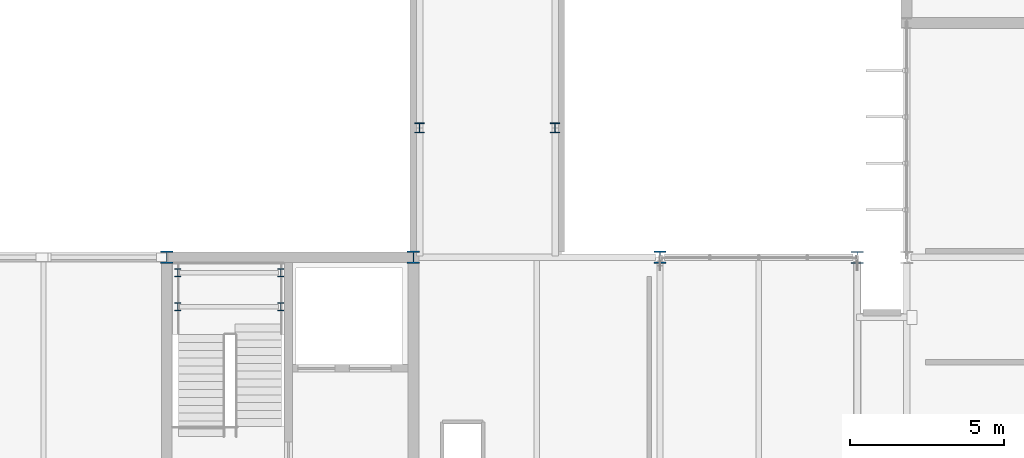
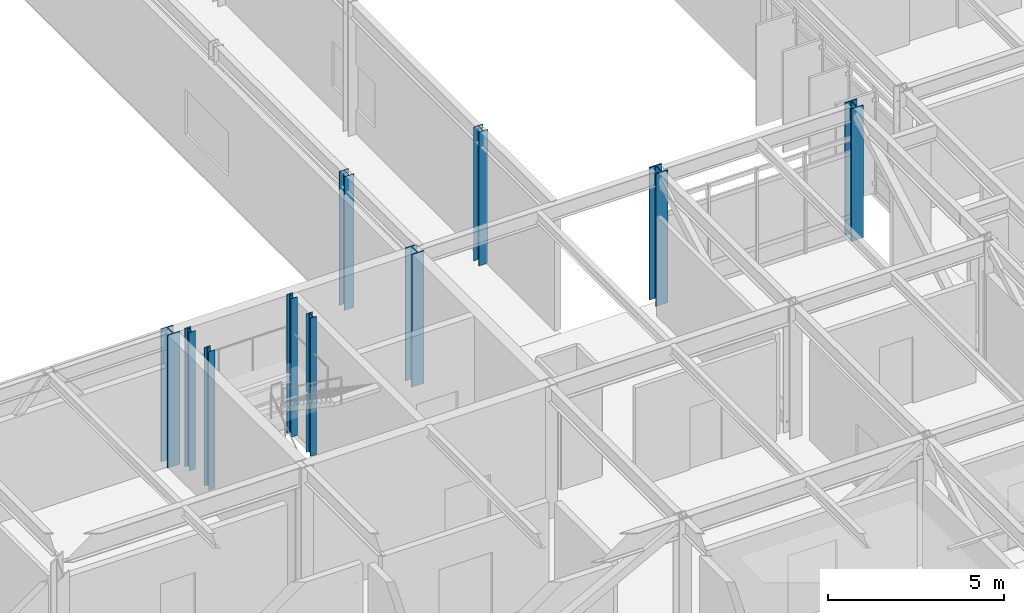
# One storey, part 4 of 104: 10 columns.
"""IFC4 building model written with IfcOpenShell, lengths in metres."""

import ifcopenshell
import ifcopenshell.guid

model = None  # the IFC model being written
_history = None  # IfcOwnerHistory: only IFC2X3 demands one
_inside = {}  # id of a spatial element -> (the spatial element, [elements in it])
_under = {}  # id of a project, library or spatial element -> (it, [spatial elements below it])
_declared = {}  # id of a project -> (the project, [libraries it declares])
_typed = {}  # id of a type object -> (the type object, [elements of that type])
_made_of = {}  # id of a material, layer set ... -> (it, [elements and type objects made of it])


def new_model(schema):
    """Start an empty IFC model of exactly this schema.

    Asked for "IFC4X3", IfcOpenShell would pick the latest addendum, in which some entities
    have other attributes; the version numbers below select the first issue.
    IFC2X3 requires an IfcOwnerHistory on every rooted entity: one is made here for all.
    """
    global model, _history
    if schema == "IFC4X3":
        model = ifcopenshell.file(schema_version=(4, 3, 0, 0))
    else:
        model = ifcopenshell.file(schema=schema)
    _inside.clear()
    _under.clear()
    _declared.clear()
    _typed.clear()
    _made_of.clear()
    _history = None
    if model.schema == "IFC2X3":
        org = make("IfcOrganization", Name="unknown")
        user = make(
            "IfcPersonAndOrganization",
            ThePerson=make("IfcPerson", FamilyName="unknown"),
            TheOrganization=org,
        )
        app = make(
            "IfcApplication",
            ApplicationDeveloper=org,
            Version="unknown",
            ApplicationFullName="unknown",
            ApplicationIdentifier="unknown",
        )
        _history = make(
            "IfcOwnerHistory",
            OwningUser=user,
            OwningApplication=app,
            ChangeAction="ADDED",
            CreationDate=0,
        )
    return model


def make(cls, **values):
    """One entity of the class cls with the attributes given. An attribute that is None is left unset."""
    return model.create_entity(
        cls, **{name: value for name, value in values.items() if value is not None}
    )


def rooted(cls, **values):
    """An entity with a GlobalId (a new one), such as an element, a storey or a relation."""
    return make(cls, GlobalId=ifcopenshell.guid.new(), OwnerHistory=_history, **values)


def si_unit(unit_type, name, prefix=None):
    """IfcSIUnit, for example si_unit("LENGTHUNIT", "METRE", prefix="MILLI")."""
    return make("IfcSIUnit", UnitType=unit_type, Prefix=prefix, Name=name)


def assignment(units):
    """IfcUnitAssignment: the units of a project."""
    return None if units is None else make("IfcUnitAssignment", Units=units)


def point(xyz):
    """IfcCartesianPoint."""
    return None if xyz is None else make("IfcCartesianPoint", Coordinates=xyz)


def direction(xyz):
    """IfcDirection."""
    return None if xyz is None else make("IfcDirection", DirectionRatios=xyz)


def frame(location, z_axis=None, x_axis=None):
    """IfcAxis2Placement3D, a coordinate frame: its origin and axes. An axis left out is left unset."""
    return make(
        "IfcAxis2Placement3D",
        Location=point(location),
        Axis=direction(z_axis),
        RefDirection=direction(x_axis),
    )


def frame_2d(location, x_axis=None):
    """IfcAxis2Placement2D, a coordinate frame in the plane: its origin and x axis."""
    return make(
        "IfcAxis2Placement2D", Location=point(location), RefDirection=direction(x_axis)
    )


def origin():
    """The frame at (0, 0, 0) with its axes left unset."""
    return frame((0.0, 0.0, 0.0))


def origin_2d():
    """The frame at (0, 0) in the plane with its x axis left unset."""
    return frame_2d((0.0, 0.0))


def place(relative_to, where):
    """IfcLocalPlacement: puts the frame where relative to a parent placement (None: the world)."""
    return make(
        "IfcLocalPlacement", PlacementRelTo=relative_to, RelativePlacement=where
    )


def context(
    kind, dimensions, precision=None, world=None, true_north=None, identifier=None
):
    """IfcGeometricRepresentationContext, for example the 3D "Model" context."""
    return make(
        "IfcGeometricRepresentationContext",
        ContextIdentifier=identifier,
        ContextType=kind,
        CoordinateSpaceDimension=dimensions,
        Precision=precision,
        WorldCoordinateSystem=world,
        TrueNorth=true_north,
    )


def subcontext(parent, identifier, kind, view, scale=None):
    """IfcGeometricRepresentationSubContext, for example "Body" below "Model"."""
    return make(
        "IfcGeometricRepresentationSubContext",
        ContextIdentifier=identifier,
        ContextType=kind,
        ParentContext=parent,
        TargetScale=scale,
        TargetView=view,
    )


def project(units=None, contexts=None):
    """IfcProject with its units and contexts."""
    return rooted(
        "IfcProject",
        Name="project",
        RepresentationContexts=contexts,
        UnitsInContext=assignment(units),
    )


def spatial(cls, under=None, at=None, **own):
    """A site, building, storey or space (cls), placed at a placement, below another one or the project."""
    s = rooted(cls, ObjectPlacement=at, **own)
    if under is not None:
        _under.setdefault(under.id(), (under, []))[1].append(s)
    return s


def profile(cls, at=None, kind="AREA", **sizes):
    """A parametric profile (cls). Its sizes go by their IFC names, for example OverallWidth=200.0."""
    return make(cls, ProfileType=kind, Position=at, **sizes)


def i_section(**sizes):
    """IfcIShapeProfileDef."""
    return profile("IfcIShapeProfileDef", **sizes)


def extrude(swept, where, along, depth):
    """IfcExtrudedAreaSolid: the profile swept, set in the frame where, extruded along a direction by depth."""
    return make(
        "IfcExtrudedAreaSolid",
        SweptArea=swept,
        Position=where,
        ExtrudedDirection=direction(along),
        Depth=depth,
    )


def shape(context_of_items, identifier, shape_type, items):
    """IfcShapeRepresentation: the items that make up one representation, for example the "Body"."""
    return make(
        "IfcShapeRepresentation",
        ContextOfItems=context_of_items,
        RepresentationIdentifier=identifier,
        RepresentationType=shape_type,
        Items=items,
    )


def material(Name=None, Category=None):
    """IfcMaterial."""
    return make("IfcMaterial", Name=Name, Category=Category)


def material_profile(
    of_material, cross_section, Name=None, Category=None, Priority=None
):
    """IfcMaterialProfile: a cross section and its material."""
    return make(
        "IfcMaterialProfile",
        Name=Name,
        Material=of_material,
        Profile=cross_section,
        Priority=Priority,
        Category=Category,
    )


def profile_set(profiles, Name=None, composite=None):
    """IfcMaterialProfileSet."""
    return make(
        "IfcMaterialProfileSet",
        Name=Name,
        MaterialProfiles=profiles,
        CompositeProfile=composite,
    )


def made_of(thing, what):
    """Note that an element or type object is made of a material, layer set ...; save() writes the relation."""
    if what is not None:
        _made_of.setdefault(what.id(), (what, []))[1].append(thing)
    return thing


def type_object(cls, material=None, **own):
    """A type object (cls), such as IfcWallType, which elements share."""
    return made_of(rooted(cls, **own), material)


def element(
    cls,
    number,
    at=None,
    inside=None,
    cuts=None,
    type_object=None,
    material=None,
    context=None,
    identifier="Body",
    shape_type=None,
    held_by="IfcProductDefinitionShape",
    body=None,
    shapes=None,
    **own,
):
    """One element of the class cls, such as IfcWall. Its Tag is "e" and its number.

    at: its placement. inside: the storey or other place that contains it. cuts: it is an
    opening in that element (IfcRelVoidsElement). A single representation is given by context,
    identifier, shape_type and body (its items); several are given by shapes. held_by: the class
    of the entity that holds the representations. save() writes the other relations.
    """
    e = rooted(cls, Tag="e%d" % number, ObjectPlacement=at, **own)
    if body is not None:
        shapes = [shape(context, identifier, shape_type, body)]
    if shapes is not None:
        e.Representation = make(held_by, Representations=shapes)
    if inside is not None:
        _inside.setdefault(inside.id(), (inside, []))[1].append(e)
    if cuts is not None:
        rooted(
            "IfcRelVoidsElement", RelatingBuildingElement=cuts, RelatedOpeningElement=e
        )
    if type_object is not None:
        _typed.setdefault(type_object.id(), (type_object, []))[1].append(e)
    return made_of(e, material)


def aggregate(whole, parts):
    """IfcRelAggregates: a whole, such as a stair, and the parts it consists of."""
    return rooted("IfcRelAggregates", RelatingObject=whole, RelatedObjects=parts)


def save(model, path):
    """Write the relations noted so far, then the file.

    IfcRelAggregates (storeys below a building ...), IfcRelContainedInSpatialStructure (elements
    in a storey), IfcRelDefinesByType, IfcRelAssociatesMaterial and IfcRelDeclares: one each for
    every whole, place, type object, material and project.
    """
    for whole, parts in _under.values():
        aggregate(whole, parts)
    for where, things in _inside.values():
        rooted(
            "IfcRelContainedInSpatialStructure",
            RelatedElements=things,
            RelatingStructure=where,
        )
    for kind, things in _typed.values():
        rooted("IfcRelDefinesByType", RelatedObjects=things, RelatingType=kind)
    for what, things in _made_of.values():
        rooted("IfcRelAssociatesMaterial", RelatedObjects=things, RelatingMaterial=what)
    for by, libraries in _declared.values():
        rooted("IfcRelDeclares", RelatingContext=by, RelatedDefinitions=libraries)
    model.write(path)


model = new_model("IFC4")

# Units and contexts
model_context = context("Model", 3, precision=1e-05, world=origin(), true_north=direction((0.0, 1.0)))
body_context = subcontext(model_context, "Body", "Model", "MODEL_VIEW")
ifc_project = project(units=[si_unit("LENGTHUNIT", "METRE"), si_unit("AREAUNIT", "SQUARE_METRE"), si_unit("VOLUMEUNIT", "CUBIC_METRE"), si_unit("PLANEANGLEUNIT", "RADIAN"), si_unit("MASSUNIT", "GRAM", prefix="KILO")], contexts=[model_context])

# Site, building, storey
site_placement = place(None, origin())
site = spatial("IfcSite", under=ifc_project, at=site_placement, CompositionType="ELEMENT")
building_placement = place(site_placement, origin())
building = spatial("IfcBuilding", under=site, at=building_placement, Name="Zulena Civic Courthouse", CompositionType="ELEMENT")
storey_placement = place(building_placement, frame((0.0, 0.0, 15.60009765625)))
storey = spatial("IfcBuildingStorey", under=building, at=storey_placement, Name="L03", CompositionType="ELEMENT", Elevation=15.60009765625)

# Columns
ifc_material = material(Name="Steel ASTM A992 Grade 50", Category="steel")
ifc_material_profile_1 = material_profile(ifc_material, i_section(OverallWidth=0.2041015625, OverallDepth=0.257080078125, WebThickness=0.0087890625, FlangeThickness=0.015625, FilletRadius=0.0126953125, at=origin_2d()), Name="W10X45")
ifc_profile_set_1 = profile_set([ifc_material_profile_1], Name="Steel ASTM A992 Grade 50")
column_type_1 = type_object("IfcColumnType", Name="Col_W10X45", PredefinedType="COLUMN", material=ifc_profile_set_1)
for number, where, z_axis, x_axis, name in (
    (1, (44.360107421875, 21.199951171875, 0.0), (0.0, 0.0, 1.0), (1.0, 0.0, 0.0), "col:lnd:K2B:L03:0:0"),
    (2, (47.699951171875, 21.199951171875, 0.0), (0.0, 0.0, 1.0), (1.0, 0.0, 0.0), "col:lnd:K2B:L03:0:1"),
    (3, (44.360107421875, 22.300048828125, 0.0), (0.0, 0.0, 1.0), (1.0, 0.0, 0.0), "col:lnd:K2B:L03:1:0"),
    (4, (47.699951171875, 22.300048828125, 0.0), (0.0, 0.0, 1.0), (1.0, 0.0, 0.0), "col:lnd:K2B:L03:1:1"),
):
    element("IfcColumn", number, at=place(storey_placement, frame(where, z_axis=z_axis, x_axis=x_axis)), inside=storey, type_object=column_type_1, Name=name, PredefinedType="COLUMN", context=body_context, shape_type="SweptSolid", body=[
        extrude(i_section(OverallWidth=0.2041015625, OverallDepth=0.257080078125, WebThickness=0.0087890625, FlangeThickness=0.015625, FilletRadius=0.0126953125, at=origin_2d()), origin(), (0.0, 0.0, 1.0), 4.794921875),
    ])
ifc_material_profile_2 = material_profile(ifc_material, i_section(OverallWidth=0.306884765625, OverallDepth=0.31396484375, WebThickness=0.011962890625, FlangeThickness=0.018798828125, FilletRadius=0.01513671875, at=origin_2d()), Name="W12X79")
ifc_profile_set_2 = profile_set([ifc_material_profile_2], Name="Steel ASTM A992 Grade 50")
column_type_2 = type_object("IfcColumnType", Name="Col_W12X79", PredefinedType="COLUMN", material=ifc_profile_set_2)
for number, where, z_axis, x_axis, name in (
    (5, (52.199951171875, 27.0, 0.0), (0.0, 0.0, 1.0), (1.0, 0.0, 0.0), "col:bridge:BR-52C:L03:52.20:27.00"),
    (6, (56.60009765625, 27.0, 0.0), (0.0, 0.0, 1.0), (1.0, 0.0, 0.0), "col:bridge:BR-52C:L03:56.60:27.00"),
):
    element("IfcColumn", number, at=place(storey_placement, frame(where, z_axis=z_axis, x_axis=x_axis)), inside=storey, type_object=column_type_2, Name=name, PredefinedType="COLUMN", context=body_context, shape_type="SweptSolid", body=[
        extrude(i_section(OverallWidth=0.306884765625, OverallDepth=0.31396484375, WebThickness=0.011962890625, FlangeThickness=0.018798828125, FilletRadius=0.01513671875, at=origin_2d()), origin(), (0.0, 0.0, 1.0), 4.6298828125),
    ])
ifc_material_profile_3 = material_profile(ifc_material, i_section(OverallWidth=0.39892578125, OverallDepth=0.386962890625, WebThickness=0.02099609375, FlangeThickness=0.033203125, FilletRadius=0.01513671875, at=origin_2d()), Name="W14X176")
ifc_profile_set_3 = profile_set([ifc_material_profile_3], Name="Steel ASTM A992 Grade 50")
column_type_3 = type_object("IfcColumnType", Name="Col_W14X176", PredefinedType="COLUMN", material=ifc_profile_set_3)
column_placement = place(storey_placement, frame((66.39990234375, 22.800048828125, 0.0), z_axis=(0.0, 0.0, 1.0), x_axis=(1.0, 0.0, 0.0)))
element("IfcColumn", 7, at=column_placement, inside=storey, type_object=column_type_3, Name="col:V2:L03:66.4:22.8", PredefinedType="COLUMN", context=body_context, shape_type="SweptSolid", body=[
    extrude(i_section(OverallWidth=0.39892578125, OverallDepth=0.386962890625, WebThickness=0.02099609375, FlangeThickness=0.033203125, FilletRadius=0.01513671875, at=origin_2d()), origin(), (0.0, 0.0, 1.0), 4.58984375),
])
ifc_material_profile_4 = material_profile(ifc_material, i_section(OverallWidth=0.40087890625, OverallDepth=0.39892578125, WebThickness=0.02490234375, FlangeThickness=0.03955078125, FilletRadius=0.01513671875, at=origin_2d()), Name="W14X211")
ifc_profile_set_4 = profile_set([ifc_material_profile_4], Name="Steel ASTM A992 Grade 50")
column_type_4 = type_object("IfcColumnType", Name="Col_W14X211", PredefinedType="COLUMN", material=ifc_profile_set_4)
for number, where, z_axis, x_axis, name in (
    (8, (44.0, 22.800048828125, 0.0), (0.0, 0.0, 1.0), (1.0, 0.0, 0.0), "col:V2:L03:44.0:22.8"),
    (9, (52.0, 22.800048828125, 0.0), (0.0, 0.0, 1.0), (1.0, 0.0, 0.0), "col:V2:L03:52.0:22.8"),
    (10, (60.0, 22.800048828125, 0.0), (0.0, 0.0, 1.0), (1.0, 0.0, 0.0), "col:V2:L03:60.0:22.8"),
):
    element("IfcColumn", number, at=place(storey_placement, frame(where, z_axis=z_axis, x_axis=x_axis)), inside=storey, type_object=column_type_4, Name=name, PredefinedType="COLUMN", context=body_context, shape_type="SweptSolid", body=[
        extrude(i_section(OverallWidth=0.40087890625, OverallDepth=0.39892578125, WebThickness=0.02490234375, FlangeThickness=0.03955078125, FilletRadius=0.01513671875, at=origin_2d()), origin(), (0.0, 0.0, 1.0), 4.58984375),
    ])

save(model, "model.ifc")
